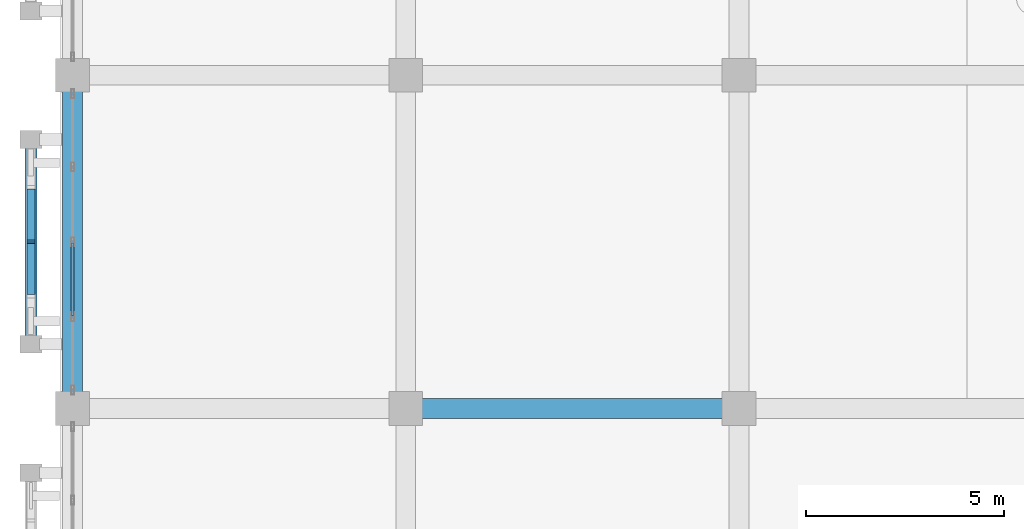
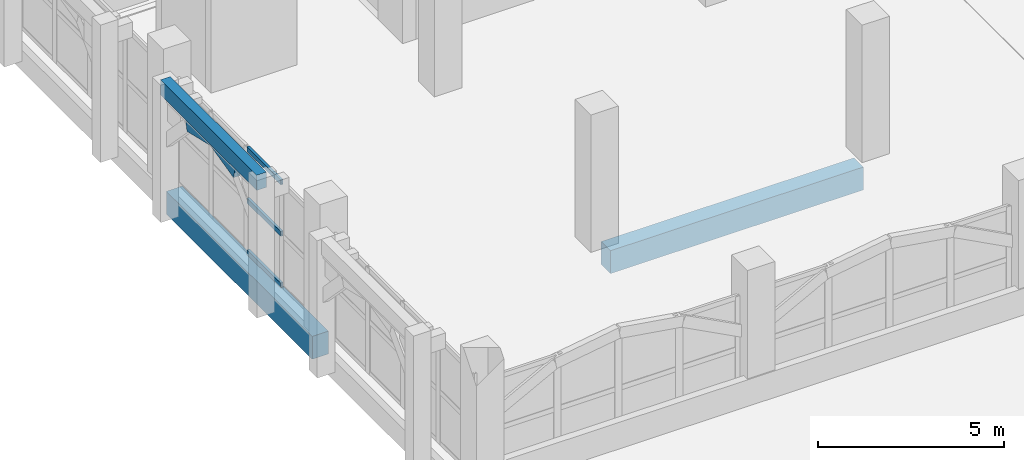
# One storey, part 41 of 129: 5 members, 3 beams, 1 element without a shape of its own.
"""IFC4 building model written with IfcOpenShell, lengths in metres."""

from ifc_helpers import new_model, si_unit, direction, frame, origin, origin_2d, place, context, subcontext, project, spatial, rectangle, hollow_rectangle, extrude, material, layer, layer_set, material_profile, profile_set, type_object, element, aggregate, save


model = new_model("IFC4")

# Units and contexts
model_context = context("Model", 3, precision=1e-05, world=origin(), true_north=direction((0.0, 1.0)))
body_context = subcontext(model_context, "Body", "Model", "MODEL_VIEW")
ifc_project = project(units=[si_unit("LENGTHUNIT", "METRE"), si_unit("AREAUNIT", "SQUARE_METRE"), si_unit("VOLUMEUNIT", "CUBIC_METRE"), si_unit("PLANEANGLEUNIT", "RADIAN"), si_unit("MASSUNIT", "GRAM", prefix="KILO")], contexts=[model_context])

# Site, building, storey
site_placement = place(None, origin())
site = spatial("IfcSite", under=ifc_project, at=site_placement, CompositionType="ELEMENT")
building_placement = place(site_placement, origin())
building = spatial("IfcBuilding", under=site, at=building_placement, Name="Xazarin Passage Department Store", CompositionType="ELEMENT")
storey_placement = place(building_placement, frame((0.0, 0.0, 9.89990234375)))
storey = spatial("IfcBuildingStorey", under=building, at=storey_placement, Name="L02", CompositionType="ELEMENT", Elevation=9.89990234375)

# Curtain wall, members
ifc_material_1 = material(Name="Bronze anodised aluminium", Category="aluminium")
ifc_layer = layer(ifc_material_1, 0.199951171875)
ifc_layer_set = layer_set([ifc_layer], Name="Bronze anodised aluminium")
curtain_wall_type = type_object("IfcCurtainWallType", Name="ARC-CW-VIT2", PredefinedType="NOTDEFINED", material=ifc_layer_set)
curtain_wall_placement = place(storey_placement, origin())
curtain_wall = element("IfcCurtainWall", 1, at=curtain_wall_placement, inside=storey, type_object=curtain_wall_type, Name="L02 V1 Curtain Wall 046", PredefinedType="NOTDEFINED")
ifc_material_profile_1 = material_profile(ifc_material_1, hollow_rectangle(XDim=0.074951171875, YDim=0.159912109375, WallThickness=0.00439453125, at=origin_2d()), Name="ALU 75x160")
ifc_profile_set_1 = profile_set([ifc_material_profile_1], Name="Bronze anodised aluminium")
member_type_1 = type_object("IfcMemberType", Name="ARC-CWT-75x160", PredefinedType="USERDEFINED", material=ifc_profile_set_1)
member_1_placement = place(storey_placement, frame((0.0, 70.35009765625, 0.03759765625), z_axis=(0.0, 1.0, 0.0), x_axis=(-1.0, 0.0, 0.0)))
member_1 = element("IfcMember", 2, at=member_1_placement, type_object=member_type_1, Name="CW2 transom 2.1", ObjectType="TRANSOM", PredefinedType="USERDEFINED", context=body_context, shape_type="SweptSolid", body=[
    extrude(hollow_rectangle(XDim=0.074951171875, YDim=0.159912109375, WallThickness=0.00439453125, at=origin_2d()), origin(), (0.0, 0.0, 1.0), 1.8125),
])
member_2_placement = place(storey_placement, frame((0.0, 70.35009765625, 1.72509765625), z_axis=(0.0, 1.0, 0.0), x_axis=(-1.0, 0.0, 0.0)))
member_2 = element("IfcMember", 3, at=member_2_placement, type_object=member_type_1, Name="CW2 transom 2.2", ObjectType="TRANSOM", PredefinedType="USERDEFINED", context=body_context, shape_type="SweptSolid", body=[
    extrude(hollow_rectangle(XDim=0.074951171875, YDim=0.159912109375, WallThickness=0.00439453125, at=origin_2d()), origin(), (0.0, 0.0, 1.0), 1.8125),
])
member_3_placement = place(storey_placement, frame((0.0, 70.35009765625, 3.41259765625), z_axis=(0.0, 1.0, 0.0), x_axis=(-1.0, 0.0, 0.0)))
member_3 = element("IfcMember", 4, at=member_3_placement, type_object=member_type_1, Name="CW2 transom 2.3", ObjectType="TRANSOM", PredefinedType="USERDEFINED", context=body_context, shape_type="SweptSolid", body=[
    extrude(hollow_rectangle(XDim=0.074951171875, YDim=0.159912109375, WallThickness=0.00439453125, at=origin_2d()), origin(), (0.0, 0.0, 1.0), 1.8125),
])
aggregate(curtain_wall, [member_1, member_2, member_3])

# Beams
ifc_material_2 = material(Name="Concrete C35/45", Category="concrete")
ifc_material_profile_2 = material_profile(ifc_material_2, rectangle(XDim=0.300048828125, YDim=0.5, at=origin_2d()), Name="RC 300x500")
ifc_profile_set_2 = profile_set([ifc_material_profile_2], Name="Concrete C35/45")
beam_type_1 = type_object("IfcBeamType", Name="STR-BM-LN300x500", PredefinedType="LINTEL", material=ifc_profile_set_2)
beam_placement = place(storey_placement, frame((-1.050048828125, 69.6201171875, 4.25), z_axis=(0.0, 1.0, 0.0), x_axis=(-1.0, 0.0, 0.0)))
element("IfcBeam", 5, at=beam_placement, inside=storey, type_object=beam_type_1, Name="L02 V1 Colonnade Spandrel Beam 010", PredefinedType="LINTEL", context=body_context, shape_type="SweptSolid", body=[
    extrude(rectangle(XDim=0.300048828125, YDim=0.5, at=origin_2d()), origin(), (0.0, 0.0, 1.0), 5.159912109375),
])
ifc_material_profile_3 = material_profile(ifc_material_2, rectangle(XDim=0.5, YDim=0.75, at=origin_2d()), Name="RC 500x750")
ifc_profile_set_3 = profile_set([ifc_material_profile_3], Name="Concrete C35/45")
beam_type_2 = type_object("IfcBeamType", Name="STR-BM-SP500x750", PredefinedType="SPANDREL", material=ifc_profile_set_3)
for number, where, z_axis, x_axis, name in (
    (6, (8.679931640625, 68.0, -0.6748046875), (1.0, 0.0, 0.0), (0.0, 1.0, 0.0), "L02 Grid Beam K/2-3"),
    (7, (0.0, 68.280029296875, -0.6748046875), (0.0, 1.0, 0.0), (-1.0, 0.0, 0.0), "L02 Grid Beam 1/K-L"),
):
    element("IfcBeam", number, at=place(storey_placement, frame(where, z_axis=z_axis, x_axis=x_axis)), inside=storey, type_object=beam_type_2, Name=name, PredefinedType="SPANDREL", context=body_context, shape_type="SweptSolid", body=[
        extrude(rectangle(XDim=0.5, YDim=0.75, at=origin_2d()), origin(), (0.0, 0.0, 1.0), 7.840087890625),
    ])

# Members
ifc_material_3 = material(Name="Concrete C40/50", Category="concrete")
ifc_material_profile_4 = material_profile(ifc_material_3, rectangle(XDim=0.199951171875, YDim=0.360107421875, at=origin_2d()), Name="RC 200x360")
ifc_profile_set_4 = profile_set([ifc_material_profile_4], Name="Concrete C40/50")
member_type_2 = type_object("IfcMemberType", Name="STR-MEM-ARC360", PredefinedType="CHORD", material=ifc_profile_set_4)
for number, where, z_axis, x_axis, name in (
    (8, (-1.050048828125, 70.909912109375, 3.7705078125), (0.0, 0.972393983317, 0.233345111818), (-1.0, 0.0, 0.0), "L02 V1 Pierced Lattice Curved Arch 010.2"),
    (9, (-1.050048828125, 72.199951171875, 4.080078125), (0.0, 0.972393983317, -0.233345111818), (-1.0, 0.0, 0.0), "L02 V1 Pierced Lattice Curved Arch 010.3"),
):
    element("IfcMember", number, at=place(storey_placement, frame(where, z_axis=z_axis, x_axis=x_axis)), inside=storey, type_object=member_type_2, Name=name, PredefinedType="CHORD", context=body_context, shape_type="SweptSolid", body=[
        extrude(rectangle(XDim=0.199951171875, YDim=0.360107421875, at=origin_2d()), origin(), (0.0, 0.0, 1.0), 1.32666015625),
    ])

save(model, "model.ifc")
